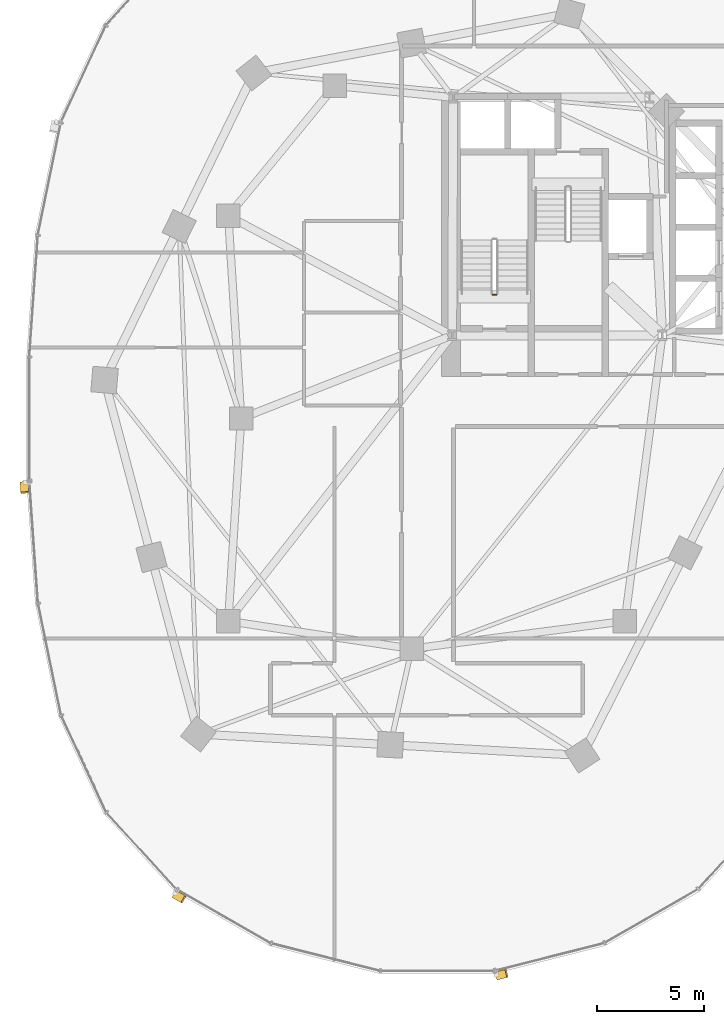
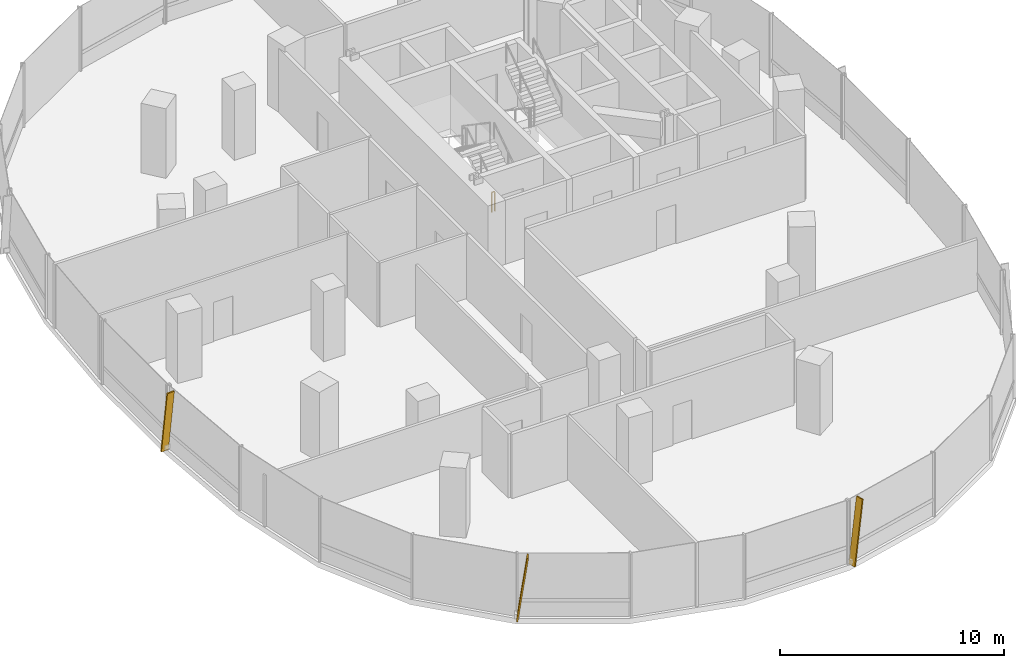
# One storey, part 17 of 21: 3 shading devices, 1 railing.
"""IFC4 building model written with IfcOpenShell, lengths in metres."""

from ifc_helpers import new_model, si_unit, direction, frame, origin, origin_2d, place, context, subcontext, project, spatial, rectangle, extrude, material, material_profile, profile_set, type_object, element, save


model = new_model("IFC4")

# Units and contexts
model_context = context("Model", 3, precision=1e-05, world=origin(), true_north=direction((0.0, 1.0)))
body_context = subcontext(model_context, "Body", "Model", "MODEL_VIEW")
ifc_project = project(units=[si_unit("LENGTHUNIT", "METRE"), si_unit("AREAUNIT", "SQUARE_METRE"), si_unit("VOLUMEUNIT", "CUBIC_METRE"), si_unit("PLANEANGLEUNIT", "RADIAN"), si_unit("MASSUNIT", "GRAM", prefix="KILO"), si_unit("THERMODYNAMICTEMPERATUREUNIT", "KELVIN"), si_unit("POWERUNIT", "WATT")], contexts=[model_context])

# Site, building, storey
site_placement = place(None, origin())
site = spatial("IfcSite", under=ifc_project, at=site_placement, CompositionType="ELEMENT")
building_placement = place(site_placement, origin())
building = spatial("IfcBuilding", under=site, at=building_placement, Name="Cundina Bronze Exchange", CompositionType="ELEMENT")
storey_placement = place(building_placement, frame((0.0, 0.0, 50.60009765625)))
storey = spatial("IfcBuildingStorey", under=building, at=storey_placement, Name="L12", CompositionType="ELEMENT", Elevation=50.60009765625)

# Railing
ifc_material_1 = material(Name="Steel ASTM A36 Painted", Category="steel")
railing_type = type_object("IfcRailingType", Name="RLG-STG-1100", PredefinedType="GUARDRAIL", material=ifc_material_1)
railing_placement = place(storey_placement, frame((-29.239990234375, 5.800048828125, 0.0)))
element("IfcRailing", 1, at=railing_placement, inside=storey, type_object=railing_type, Name="L12 ST-W1 stair guard 4", PredefinedType="GUARDRAIL", context=body_context, shape_type="SweptSolid", body=[
    extrude(rectangle(XDim=0.048095703125, YDim=0.048095703125, at=origin_2d()), frame((0.0, 0.0, 1.076171875), z_axis=(-1.0, 0.0, 0.0), x_axis=(0.0, -1.0, 0.0)), (0.0, 0.0, 1.0), 0.159912109375),
    extrude(rectangle(XDim=0.0419921875, YDim=0.0419921875, at=origin_2d()), origin(), (0.0, 0.0, 1.0), 1.052001953125),
    extrude(rectangle(XDim=0.0419921875, YDim=0.0419921875, at=origin_2d()), frame((-0.159912109375, 0.0, 0.0)), (0.0, 0.0, 1.0), 1.052001953125),
])

# Shading devices
ifc_material_2 = material(Name="Anodised Bronze Aluminium 6063-T6", Category="aluminium")
ifc_material_profile = material_profile(ifc_material_2, rectangle(XDim=0.070068359375, YDim=0.3798828125, at=origin_2d()), Name="FIN70X380", Category="aluminium")
ifc_profile_set = profile_set([ifc_material_profile], Name="Anodised Bronze Aluminium 6063-T6")
shading_device_type = type_object("IfcShadingDeviceType", Name="SHD-FIN-BRZ380", PredefinedType="USERDEFINED", material=ifc_profile_set)
for number, where, z_axis, x_axis, name in (
    (2, (-51.3740234375, -2.993896484375, 0.02001953125), (0.009645159174, -0.137059109714, 0.990515911709), (-0.06953288269, 0.988072340253, 0.137398066402), "L12 Diagonal Bronze Solar Fin 1"),
    (3, (-44.314208984375, -22.314208984375, 0.02001953125), (0.119166378275, -0.06842456559, 0.990513731915), (-0.85898178632, 0.493221799887, 0.137413779831), "L12 Diagonal Bronze Solar Fin 5"),
    (4, (-29.212646484375, -26.138427734375, 0.02001953125), (0.133214830938, 0.033688115694, 0.990514472221), (-0.960284642503, -0.242842181368, 0.137408443412), "L12 Diagonal Bronze Solar Fin 1"),
):
    element("IfcShadingDevice", number, at=place(storey_placement, frame(where, z_axis=z_axis, x_axis=x_axis)), inside=storey, type_object=shading_device_type, Name=name, ObjectType="FIN", PredefinedType="USERDEFINED", context=body_context, shape_type="SweptSolid", body=[
        extrude(rectangle(XDim=0.070068359375, YDim=0.3798828125, at=origin_2d()), origin(), (0.0, 0.0, 1.0), 3.4931640625),
    ])

save(model, "model.ifc")
